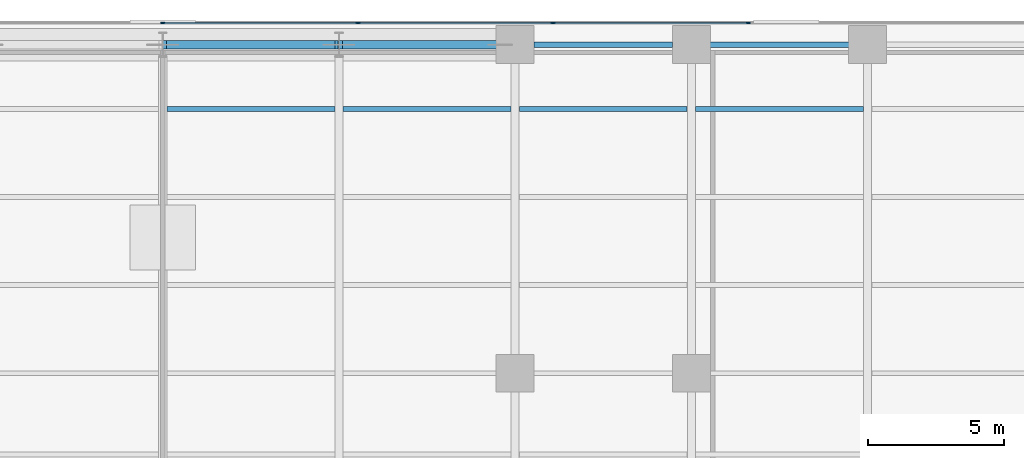
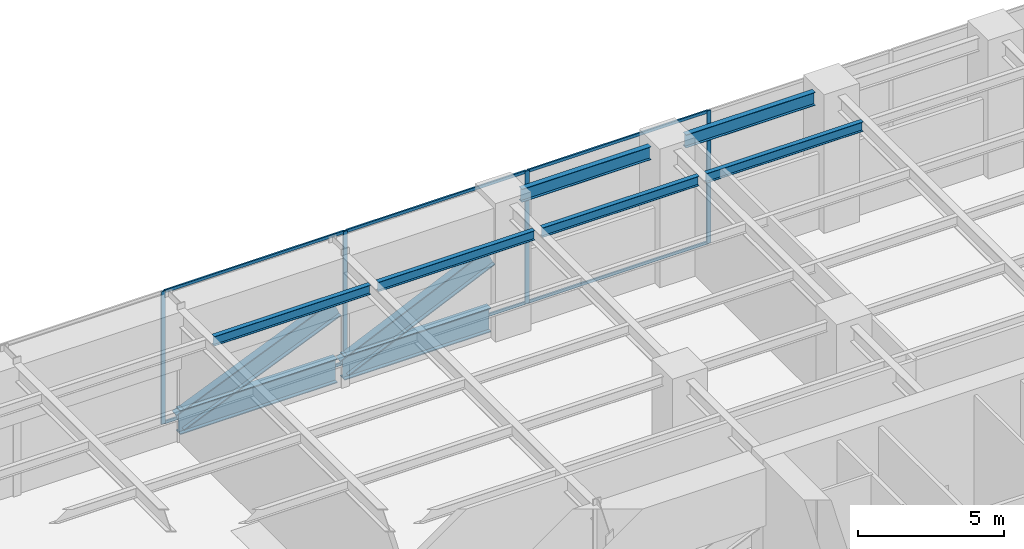
# One storey, part 13 of 25: 12 members, 8 beams, 1 element without a shape of its own.
"""IFC4 building model written with IfcOpenShell, lengths in metres."""

from ifc_helpers import new_model, si_unit, direction, frame, origin, origin_2d, place, context, subcontext, project, spatial, rectangle, i_section, extrude, material, layer, layer_set, material_profile, profile_set, type_object, element, aggregate, save


model = new_model("IFC4")

# Units and contexts
model_context = context("Model", 3, precision=1e-05, world=origin(), true_north=direction((0.0, 1.0)))
body_context = subcontext(model_context, "Body", "Model", "MODEL_VIEW")
ifc_project = project(units=[si_unit("LENGTHUNIT", "METRE"), si_unit("AREAUNIT", "SQUARE_METRE"), si_unit("VOLUMEUNIT", "CUBIC_METRE"), si_unit("PLANEANGLEUNIT", "RADIAN"), si_unit("MASSUNIT", "GRAM", prefix="KILO")], contexts=[model_context])

# Site, building, storey
site_placement = place(None, origin())
site = spatial("IfcSite", under=ifc_project, at=site_placement, CompositionType="ELEMENT")
building_placement = place(site_placement, origin())
building = spatial("IfcBuilding", under=site, at=building_placement, Name="Putna Gate Headquarters", CompositionType="ELEMENT")
storey_placement = place(building_placement, frame((0.0, 0.0, 22.0)))
storey = spatial("IfcBuildingStorey", under=building, at=storey_placement, Name="L04", CompositionType="ELEMENT", Elevation=22.0)

# Beams
ifc_material_1 = material(Name="Steel S355J2", Category="steel")
ifc_material_profile_1 = material_profile(ifc_material_1, i_section(OverallWidth=0.179931640625, OverallDepth=0.39990234375, WebThickness=0.008544921875, FlangeThickness=0.013427734375, at=origin_2d()), Name="Steel S355J2")
ifc_profile_set_1 = profile_set([ifc_material_profile_1], Name="Steel S355J2")
beam_type_1 = type_object("IfcBeamType", Name="BM-SEC-Z1-IPE400", PredefinedType="BEAM", material=ifc_profile_set_1)
for number, where, z_axis, x_axis, name in (
    (1, (39.154052734375, 48.75, 5.35009765625), (1.0, 0.0, 0.0), (0.0, 1.0, 0.0), "L04 North Secondary Beam 6"),
    (2, (45.654052734375, 48.75, 5.35009765625), (1.0, 0.0, 0.0), (0.0, 1.0, 0.0), "L04 North Secondary Beam 7"),
    (3, (52.154052734375, 48.75, 5.35009765625), (1.0, 0.0, 0.0), (0.0, 1.0, 0.0), "L04 North Secondary Beam 8"),
    (4, (58.654052734375, 48.75, 5.35009765625), (1.0, 0.0, 0.0), (0.0, 1.0, 0.0), "L04 North Secondary Beam 9"),
):
    element("IfcBeam", number, at=place(storey_placement, frame(where, z_axis=z_axis, x_axis=x_axis)), inside=storey, type_object=beam_type_1, Name=name, PredefinedType="BEAM", context=body_context, shape_type="SweptSolid", body=[
        extrude(i_section(OverallWidth=0.179931640625, OverallDepth=0.39990234375, WebThickness=0.008544921875, FlangeThickness=0.013427734375, at=origin_2d()), origin(), (0.0, 0.0, 1.0), 6.19189453125),
    ])
ifc_material_profile_2 = material_profile(ifc_material_1, i_section(OverallWidth=0.2099609375, OverallDepth=0.550048828125, WebThickness=0.010986328125, FlangeThickness=0.01708984375, at=origin_2d()), Name="Steel S355J2")
ifc_profile_set_2 = profile_set([ifc_material_profile_2], Name="Steel S355J2")
beam_type_2 = type_object("IfcBeamType", Name="BM-SPAN-Z1-IPE550", PredefinedType="SPANDREL", material=ifc_profile_set_2)
for number, where, z_axis, x_axis, name in (
    (5, (52.68798828125, 51.1201171875, 5.27490234375), (1.0, 0.0, 0.0), (0.0, 1.0, 0.0), "L04 N Perimeter Spandrel 8"),
    (6, (59.18798828125, 51.1201171875, 5.27490234375), (1.0, 0.0, 0.0), (0.0, 1.0, 0.0), "L04 N Perimeter Spandrel 9"),
):
    element("IfcBeam", number, at=place(storey_placement, frame(where, z_axis=z_axis, x_axis=x_axis)), inside=storey, type_object=beam_type_2, Name=name, PredefinedType="SPANDREL", context=body_context, shape_type="SweptSolid", body=[
        extrude(i_section(OverallWidth=0.2099609375, OverallDepth=0.550048828125, WebThickness=0.010986328125, FlangeThickness=0.01708984375, at=origin_2d()), origin(), (0.0, 0.0, 1.0), 5.1240234375),
    ])
ifc_material_2 = material(Name="Steel S460M", Category="steel")
ifc_material_profile_3 = material_profile(ifc_material_2, i_section(OverallWidth=0.302001953125, OverallDepth=1.008056640625, WebThickness=0.02099609375, FlangeThickness=0.0400390625, at=origin_2d()), Name="Steel S460M")
ifc_profile_set_3 = profile_set([ifc_material_profile_3], Name="Steel S460M")
beam_type_3 = type_object("IfcBeamType", Name="BM-TG-HEM1000-EXT", PredefinedType="USERDEFINED", material=ifc_profile_set_3)
beam_1_placement = place(storey_placement, frame((39.139892578125, 51.1201171875, 0.550048828125), z_axis=(1.0, 0.0, 0.0), x_axis=(0.0, 1.0, 0.0)))
element("IfcBeam", 7, at=beam_1_placement, inside=storey, type_object=beam_type_3, Name="L04 Transfer Truss N Bottom Chord Girder 3", ObjectType="GIRDER", PredefinedType="USERDEFINED", context=body_context, shape_type="SweptSolid", body=[
    extrude(i_section(OverallWidth=0.302001953125, OverallDepth=1.008056640625, WebThickness=0.02099609375, FlangeThickness=0.0400390625, at=origin_2d()), origin(), (0.0, 0.0, 1.0), 6.22021484375),
])
beam_2_placement = place(storey_placement, frame((45.639892578125, 51.1201171875, 0.550048828125), z_axis=(1.0, 0.0, 0.0), x_axis=(0.0, 1.0, 0.0)))
element("IfcBeam", 8, at=beam_2_placement, inside=storey, type_object=beam_type_3, Name="L04 Transfer Truss N Bottom Chord Girder 4", ObjectType="GIRDER", PredefinedType="USERDEFINED", context=body_context, shape_type="SweptSolid", body=[
    extrude(i_section(OverallWidth=0.302001953125, OverallDepth=1.008056640625, WebThickness=0.02099609375, FlangeThickness=0.0400390625, at=origin_2d()), origin(), (0.0, 0.0, 1.0), 5.800048828125),
])

# Members
ifc_material_profile_4 = material_profile(ifc_material_2, i_section(OverallWidth=0.302978515625, OverallDepth=0.81396484375, WebThickness=0.02099609375, FlangeThickness=0.0400390625, at=origin_2d()), Name="Steel S460M")
ifc_profile_set_4 = profile_set([ifc_material_profile_4], Name="Steel S460M")
member_type_1 = type_object("IfcMemberType", Name="MEM-TRUSS-DIAG-EXT-HEM800", PredefinedType="BRACE", material=ifc_profile_set_4)
member_1_placement = place(storey_placement, frame((39.139892578125, 51.1201171875, 0.550048828125), z_axis=(0.921060029632, 0.0, 0.389420623251), x_axis=(0.0, 1.0, 0.0)))
element("IfcMember", 9, at=member_1_placement, inside=storey, type_object=member_type_1, Name="L04 Transfer Truss N Diagonal 3", PredefinedType="BRACE", context=body_context, shape_type="SweptSolid", body=[
    extrude(i_section(OverallWidth=0.302978515625, OverallDepth=0.81396484375, WebThickness=0.02099609375, FlangeThickness=0.0400390625, at=origin_2d()), origin(), (0.0, 0.0, 1.0), 6.75341796875),
])
member_2_placement = place(storey_placement, frame((45.639892578125, 51.1201171875, 0.550048828125), z_axis=(0.910750758001, 0.0, 0.412956482939), x_axis=(0.0, 1.0, 0.0)))
element("IfcMember", 10, at=member_2_placement, inside=storey, type_object=member_type_1, Name="L04 Transfer Truss N Diagonal 4", PredefinedType="BRACE", context=body_context, shape_type="SweptSolid", body=[
    extrude(i_section(OverallWidth=0.302978515625, OverallDepth=0.81396484375, WebThickness=0.02099609375, FlangeThickness=0.0400390625, at=origin_2d()), origin(), (0.0, 0.0, 1.0), 6.368408203125),
])

# Curtain wall, members
ifc_material_3 = material(Name="Anodised bronze aluminium curtain wall", Category="aluminium")
ifc_layer = layer(ifc_material_3, 0.159912109375)
ifc_layer_set = layer_set([ifc_layer], Name="Anodised bronze aluminium curtain wall")
curtain_wall_type = type_object("IfcCurtainWallType", Name="CW-SYS-CRN", PredefinedType="USERDEFINED", material=ifc_layer_set)
curtain_wall_placement = place(storey_placement, origin())
curtain_wall = element("IfcCurtainWall", 11, at=curtain_wall_placement, inside=storey, type_object=curtain_wall_type, Name="L04 Acoustic Louvre North Enclosure", ObjectType="STICK CURTAIN WALL", PredefinedType="USERDEFINED")
ifc_material_4 = material(Name="Anodised bronze aluminium EN AW-6060", Category="aluminium")
ifc_material_profile_5 = material_profile(ifc_material_4, rectangle(XDim=0.06494140625, YDim=0.159912109375, at=origin_2d()), Name="Anodised bronze aluminium EN AW-6060")
ifc_profile_set_5 = profile_set([ifc_material_profile_5], Name="Anodised bronze aluminium EN AW-6060")
member_type_2 = type_object("IfcMemberType", Name="MULL-CWM-CR", PredefinedType="MULLION", material=ifc_profile_set_5)
member_3_placement = place(storey_placement, frame((39.0, 51.919921875, 0.0), z_axis=(0.0, 0.0, 1.0), x_axis=(0.0, 1.0, 0.0)))
member_3 = element("IfcMember", 12, at=member_3_placement, type_object=member_type_2, Name="CWS-CR mullion 6", PredefinedType="MULLION", context=body_context, shape_type="SweptSolid", body=[
    extrude(rectangle(XDim=0.06494140625, YDim=0.159912109375, at=origin_2d()), origin(), (0.0, 0.0, 1.0), 5.550048828125),
])
member_4_placement = place(storey_placement, frame((46.199951171875, 51.919921875, 0.0), z_axis=(0.0, 0.0, 1.0), x_axis=(0.0, 1.0, 0.0)))
member_4 = element("IfcMember", 13, at=member_4_placement, type_object=member_type_2, Name="CWS-CR mullion 7", PredefinedType="MULLION", context=body_context, shape_type="SweptSolid", body=[
    extrude(rectangle(XDim=0.06494140625, YDim=0.159912109375, at=origin_2d()), origin(), (0.0, 0.0, 1.0), 5.550048828125),
])
member_5_placement = place(storey_placement, frame((53.39990234375, 51.919921875, 0.0), z_axis=(0.0, 0.0, 1.0), x_axis=(0.0, 1.0, 0.0)))
member_5 = element("IfcMember", 14, at=member_5_placement, type_object=member_type_2, Name="CWS-CR mullion 8", PredefinedType="MULLION", context=body_context, shape_type="SweptSolid", body=[
    extrude(rectangle(XDim=0.06494140625, YDim=0.159912109375, at=origin_2d()), origin(), (0.0, 0.0, 1.0), 5.550048828125),
])
member_6_placement = place(storey_placement, frame((60.60009765625, 51.919921875, 0.0), z_axis=(0.0, 0.0, 1.0), x_axis=(0.0, 1.0, 0.0)))
member_6 = element("IfcMember", 15, at=member_6_placement, type_object=member_type_2, Name="CWS-CR mullion 9", PredefinedType="MULLION", context=body_context, shape_type="SweptSolid", body=[
    extrude(rectangle(XDim=0.06494140625, YDim=0.159912109375, at=origin_2d()), origin(), (0.0, 0.0, 1.0), 5.550048828125),
])
ifc_material_profile_6 = material_profile(ifc_material_4, rectangle(XDim=0.06494140625, YDim=0.1201171875, at=origin_2d()), Name="Anodised bronze aluminium EN AW-6060")
ifc_profile_set_6 = profile_set([ifc_material_profile_6], Name="Anodised bronze aluminium EN AW-6060")
member_type_3 = type_object("IfcMemberType", Name="TRAN-CWT-CR", PredefinedType="USERDEFINED", material=ifc_profile_set_6)
member_7_placement = place(storey_placement, frame((39.032470703125, 51.919921875, 0.032470703125), z_axis=(1.0, 0.0, 0.0), x_axis=(0.0, 1.0, 0.0)))
member_7 = element("IfcMember", 16, at=member_7_placement, type_object=member_type_3, Name="CWS-CR transom 6.1", ObjectType="TRANSOM", PredefinedType="USERDEFINED", context=body_context, shape_type="SweptSolid", body=[
    extrude(rectangle(XDim=0.06494140625, YDim=0.1201171875, at=origin_2d()), origin(), (0.0, 0.0, 1.0), 7.135009765625),
])
member_8_placement = place(storey_placement, frame((39.032470703125, 51.919921875, 5.517578125), z_axis=(1.0, 0.0, 0.0), x_axis=(0.0, 1.0, 0.0)))
member_8 = element("IfcMember", 17, at=member_8_placement, type_object=member_type_3, Name="CWS-CR transom 6.2", ObjectType="TRANSOM", PredefinedType="USERDEFINED", context=body_context, shape_type="SweptSolid", body=[
    extrude(rectangle(XDim=0.06494140625, YDim=0.1201171875, at=origin_2d()), origin(), (0.0, 0.0, 1.0), 7.135009765625),
])
member_9_placement = place(storey_placement, frame((46.232421875, 51.919921875, 0.032470703125), z_axis=(1.0, 0.0, 0.0), x_axis=(0.0, 1.0, 0.0)))
member_9 = element("IfcMember", 18, at=member_9_placement, type_object=member_type_3, Name="CWS-CR transom 7.1", ObjectType="TRANSOM", PredefinedType="USERDEFINED", context=body_context, shape_type="SweptSolid", body=[
    extrude(rectangle(XDim=0.06494140625, YDim=0.1201171875, at=origin_2d()), origin(), (0.0, 0.0, 1.0), 7.135009765625),
])
member_10_placement = place(storey_placement, frame((46.232421875, 51.919921875, 5.517578125), z_axis=(1.0, 0.0, 0.0), x_axis=(0.0, 1.0, 0.0)))
member_10 = element("IfcMember", 19, at=member_10_placement, type_object=member_type_3, Name="CWS-CR transom 7.2", ObjectType="TRANSOM", PredefinedType="USERDEFINED", context=body_context, shape_type="SweptSolid", body=[
    extrude(rectangle(XDim=0.06494140625, YDim=0.1201171875, at=origin_2d()), origin(), (0.0, 0.0, 1.0), 7.135009765625),
])
member_11_placement = place(storey_placement, frame((53.4326171875, 51.919921875, 0.032470703125), z_axis=(1.0, 0.0, 0.0), x_axis=(0.0, 1.0, 0.0)))
member_11 = element("IfcMember", 20, at=member_11_placement, type_object=member_type_3, Name="CWS-CR transom 8.1", ObjectType="TRANSOM", PredefinedType="USERDEFINED", context=body_context, shape_type="SweptSolid", body=[
    extrude(rectangle(XDim=0.06494140625, YDim=0.1201171875, at=origin_2d()), origin(), (0.0, 0.0, 1.0), 7.134765625),
])
member_12_placement = place(storey_placement, frame((53.4326171875, 51.919921875, 5.517578125), z_axis=(1.0, 0.0, 0.0), x_axis=(0.0, 1.0, 0.0)))
member_12 = element("IfcMember", 21, at=member_12_placement, type_object=member_type_3, Name="CWS-CR transom 8.2", ObjectType="TRANSOM", PredefinedType="USERDEFINED", context=body_context, shape_type="SweptSolid", body=[
    extrude(rectangle(XDim=0.06494140625, YDim=0.1201171875, at=origin_2d()), origin(), (0.0, 0.0, 1.0), 7.134765625),
])
aggregate(curtain_wall, [member_3, member_4, member_5, member_6, member_7, member_8, member_9, member_10, member_11, member_12])

save(model, "model.ifc")
